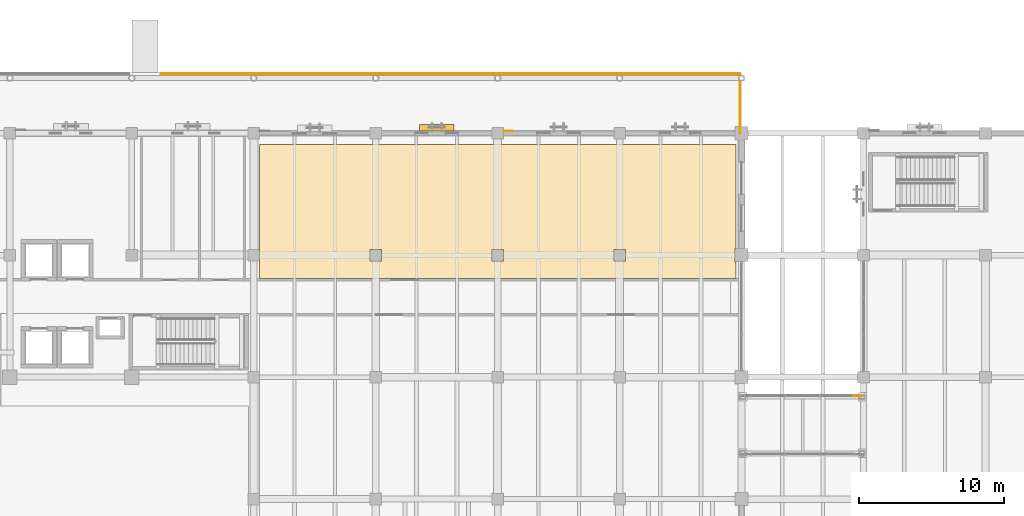
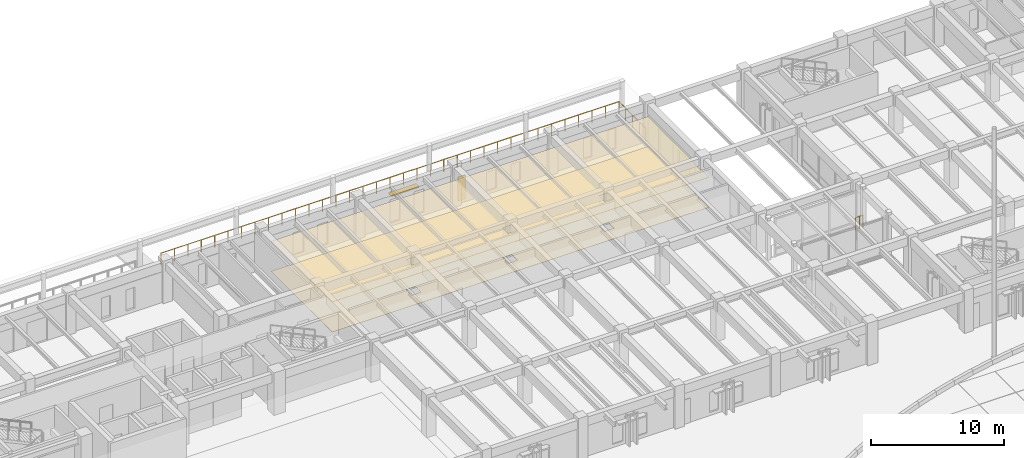
# One storey, part 123 of 135: 3 coverings, 3 railings, 1 shading device.
"""IFC4 building model written with IfcOpenShell, lengths in metres."""

from ifc_helpers import new_model, si_unit, direction, frame, origin, origin_2d, place, context, subcontext, project, spatial, polyline, rectangle, circle, outline, extrude, material, layer, layer_set, type_object, element, save


model = new_model("IFC4")

# Units and contexts
model_context = context("Model", 3, precision=1e-05, world=origin(), true_north=direction((0.0, 1.0)))
body_context = subcontext(model_context, "Body", "Model", "MODEL_VIEW")
ifc_project = project(units=[si_unit("LENGTHUNIT", "METRE"), si_unit("AREAUNIT", "SQUARE_METRE"), si_unit("VOLUMEUNIT", "CUBIC_METRE"), si_unit("PLANEANGLEUNIT", "RADIAN"), si_unit("MASSUNIT", "GRAM", prefix="KILO")], contexts=[model_context])

# Site, building, storey
site_placement = place(None, origin())
site = spatial("IfcSite", under=ifc_project, at=site_placement, CompositionType="ELEMENT")
building_placement = place(site_placement, origin())
building = spatial("IfcBuilding", under=site, at=building_placement, Name="Cumbredor Promenade Congress Hotel", CompositionType="ELEMENT")
storey_placement = place(building_placement, origin())
storey = spatial("IfcBuildingStorey", under=building, at=storey_placement, Name="L00", CompositionType="ELEMENT", Elevation=0.0)

# Covering
ifc_material_1 = material(Name="Acoustic mineral-fiber and gypsum ceiling")
ifc_layer_1 = layer(ifc_material_1, 0.028076171875, Name="Acoustic mineral-fiber and gypsum ceiling")
ifc_layer_set_1 = layer_set([ifc_layer_1], Name="Acoustic mineral-fiber and gypsum ceiling")
covering_type_1 = type_object("IfcCoveringType", Name="Acoustic Perforated Gypsum Ceiling CLG-03 28mm", PredefinedType="CEILING", material=ifc_layer_set_1)
covering_1_placement = place(storey_placement, frame((0.0, 0.0, 2.762939453125)))
element("IfcCovering", 1, at=covering_1_placement, inside=storey, type_object=covering_type_1, Name="Sabana Promenade Espresso Bar and Bakery Acoustic Ceiling", PredefinedType="CEILING", context=body_context, shape_type="SweptSolid", body=[
    extrude(outline(polyline([(50.780029296875, 116.820068359375), (83.6201171875, 116.820068359375), (83.6201171875, 109.655029296875), (83.544921875, 109.655029296875), (83.544921875, 108.7451171875), (83.6201171875, 108.7451171875), (83.6201171875, 107.580078125), (50.780029296875, 107.580078125), (50.780029296875, 108.794921875), (50.804931640625, 108.794921875), (50.804931640625, 109.60498046875), (50.780029296875, 109.60498046875), (50.780029296875, 116.820068359375)]), holes=[polyline([(59.205078125, 108.794921875), (59.205078125, 109.60498046875), (58.39501953125, 109.60498046875), (58.39501953125, 108.794921875), (59.205078125, 108.794921875)]), polyline([(66.794921875, 108.794921875), (67.60498046875, 108.794921875), (67.60498046875, 109.60498046875), (66.794921875, 109.60498046875), (66.794921875, 108.794921875)]), polyline([(75.195068359375, 109.60498046875), (75.195068359375, 108.794921875), (76.0048828125, 108.794921875), (76.0048828125, 109.60498046875), (75.195068359375, 109.60498046875)])]), origin(), (0.0, 0.0, 1.0), 0.028076171875),
])

# Shading device
ifc_material_2 = material(Name="Thermally broken anodized aluminium", Category="aluminium")
shading_device_type = type_object("IfcShadingDeviceType", Name="Horizontal Bronze Jalousie Louvre JAL-01", PredefinedType="JALOUSIE", material=ifc_material_2)
shading_device_placement = place(storey_placement, frame((63.0, 117.965087890625, 2.4599609375), z_axis=(0.0, 0.0, 1.0), x_axis=(1.0, 0.0, 0.0)))
element("IfcShadingDevice", 2, at=shading_device_placement, inside=storey, type_object=shading_device_type, Name="L00 Horizontal Bronze Jalousie 032", PredefinedType="JALOUSIE", context=body_context, shape_type="SweptSolid", body=[
    extrude(rectangle(XDim=2.39990234375, YDim=0.449951171875, at=origin_2d()), origin(), (0.0, 0.0, 1.0), 0.1201171875),
])

# Covering
ifc_material_3 = material(Name="Porcelain stoneware tile", Category="masonry")
ifc_layer_2 = layer(ifc_material_3, 0.02001953125, Name="Porcelain stoneware tile", Category="masonry")
ifc_layer_set_2 = layer_set([ifc_layer_2], Name="Porcelain stoneware tile")
covering_type_2 = type_object("IfcCoveringType", Name="Porcelain Stoneware Flooring FLR-01 20mm", PredefinedType="FLOORING", material=ifc_layer_set_2)
covering_2_placement = place(storey_placement, origin())
element("IfcCovering", 3, at=covering_2_placement, inside=storey, type_object=covering_type_2, Name="Sabana Promenade Espresso Bar and Bakery Porcelain Flooring", PredefinedType="FLOORING", context=body_context, shape_type="SweptSolid", body=[
    extrude(outline(polyline([(50.780029296875, 116.820068359375), (83.6201171875, 116.820068359375), (83.6201171875, 109.655029296875), (83.544921875, 109.655029296875), (83.544921875, 108.7451171875), (83.6201171875, 108.7451171875), (83.6201171875, 107.580078125), (50.780029296875, 107.580078125), (50.780029296875, 108.794921875), (50.804931640625, 108.794921875), (50.804931640625, 109.60498046875), (50.780029296875, 109.60498046875), (50.780029296875, 116.820068359375)]), holes=[polyline([(59.205078125, 108.794921875), (59.205078125, 109.60498046875), (58.39501953125, 109.60498046875), (58.39501953125, 108.794921875), (59.205078125, 108.794921875)]), polyline([(66.794921875, 108.794921875), (67.60498046875, 108.794921875), (67.60498046875, 109.60498046875), (66.794921875, 109.60498046875), (66.794921875, 108.794921875)]), polyline([(75.195068359375, 109.60498046875), (75.195068359375, 108.794921875), (76.0048828125, 108.794921875), (76.0048828125, 109.60498046875), (75.195068359375, 109.60498046875)])]), origin(), (0.0, 0.0, 1.0), 0.02001953125),
])

# Railings
ifc_material_4 = material(Name="Brushed stainless steel", Category="steel")
railing_type_1 = type_object("IfcRailingType", Name="Sky Garden Glass-and-Steel Balustrade BAL-1150", PredefinedType="BALUSTRADE", material=ifc_material_4)
railing_1_placement = place(storey_placement, frame((91.699951171875, 99.52001953125, 0.0)))
element("IfcRailing", 4, at=railing_1_placement, inside=storey, type_object=railing_type_1, Name="L00 North Hotel-to-Forum Glazed Bridge End Guardrail EN", PredefinedType="BALUSTRADE", context=body_context, shape_type="SweptSolid", body=[
    extrude(circle(Radius=0.02392578125, at=origin_2d()), frame((0.0, 0.0, 1.1259765625), z_axis=(1.0, 0.0, 0.0), x_axis=(0.0, 1.0, 0.0)), (0.0, 0.0, 1.0), 0.670166015625),
    extrude(circle(Radius=0.02099609375, at=origin_2d()), origin(), (0.0, 0.0, 1.0), 1.101806640625),
    extrude(circle(Radius=0.02099609375, at=origin_2d()), frame((0.3349609375, 0.0, 0.0)), (0.0, 0.0, 1.0), 1.101806640625),
    extrude(circle(Radius=0.02099609375, at=origin_2d()), frame((0.670166015625, 0.0, 0.0)), (0.0, 0.0, 1.0), 1.101806640625),
])
railing_type_2 = type_object("IfcRailingType", Name="Terrace Perimeter Balustrade BAL-1120", PredefinedType="BALUSTRADE", material=ifc_material_4)
railing_2_placement = place(storey_placement, frame((44.0, 121.699951171875, 0.0)))
element("IfcRailing", 5, at=railing_2_placement, inside=storey, type_object=railing_type_2, Name="L00 Promenade Terrace Balustrade 12", PredefinedType="BALUSTRADE", context=body_context, shape_type="SweptSolid", body=[
    extrude(circle(Radius=0.02392578125, at=origin_2d()), frame((0.0, 0.0, 1.09619140625), z_axis=(1.0, 0.0, 0.0), x_axis=(0.0, 1.0, 0.0)), (0.0, 0.0, 1.0), 39.89990234375),
    extrude(circle(Radius=0.02099609375, at=origin_2d()), origin(), (0.0, 0.0, 1.0), 1.072021484375),
    extrude(circle(Radius=0.02099609375, at=origin_2d()), frame((1.173583984375, 0.0, 0.0)), (0.0, 0.0, 1.0), 1.072021484375),
    extrude(circle(Radius=0.02099609375, at=origin_2d()), frame((2.34716796875, 0.0, 0.0)), (0.0, 0.0, 1.0), 1.072021484375),
    extrude(circle(Radius=0.02099609375, at=origin_2d()), frame((3.5205078125, 0.0, 0.0)), (0.0, 0.0, 1.0), 1.072021484375),
    extrude(circle(Radius=0.02099609375, at=origin_2d()), frame((4.694091796875, 0.0, 0.0)), (0.0, 0.0, 1.0), 1.072021484375),
    extrude(circle(Radius=0.02099609375, at=origin_2d()), frame((5.86767578125, 0.0, 0.0)), (0.0, 0.0, 1.0), 1.072021484375),
    extrude(circle(Radius=0.02099609375, at=origin_2d()), frame((7.041259765625, 0.0, 0.0)), (0.0, 0.0, 1.0), 1.072021484375),
    extrude(circle(Radius=0.02099609375, at=origin_2d()), frame((8.214599609375, 0.0, 0.0)), (0.0, 0.0, 1.0), 1.072021484375),
    extrude(circle(Radius=0.02099609375, at=origin_2d()), frame((9.38818359375, 0.0, 0.0)), (0.0, 0.0, 1.0), 1.072021484375),
    extrude(circle(Radius=0.02099609375, at=origin_2d()), frame((10.561767578125, 0.0, 0.0)), (0.0, 0.0, 1.0), 1.072021484375),
    extrude(circle(Radius=0.02099609375, at=origin_2d()), frame((11.7353515625, 0.0, 0.0)), (0.0, 0.0, 1.0), 1.072021484375),
    extrude(circle(Radius=0.02099609375, at=origin_2d()), frame((12.90869140625, 0.0, 0.0)), (0.0, 0.0, 1.0), 1.072021484375),
    extrude(circle(Radius=0.02099609375, at=origin_2d()), frame((14.082275390625, 0.0, 0.0)), (0.0, 0.0, 1.0), 1.072021484375),
    extrude(circle(Radius=0.02099609375, at=origin_2d()), frame((15.255859375, 0.0, 0.0)), (0.0, 0.0, 1.0), 1.072021484375),
    extrude(circle(Radius=0.02099609375, at=origin_2d()), frame((16.429443359375, 0.0, 0.0)), (0.0, 0.0, 1.0), 1.072021484375),
    extrude(circle(Radius=0.02099609375, at=origin_2d()), frame((17.602783203125, 0.0, 0.0)), (0.0, 0.0, 1.0), 1.072021484375),
    extrude(circle(Radius=0.02099609375, at=origin_2d()), frame((18.7763671875, 0.0, 0.0)), (0.0, 0.0, 1.0), 1.072021484375),
    extrude(circle(Radius=0.02099609375, at=origin_2d()), frame((19.949951171875, 0.0, 0.0)), (0.0, 0.0, 1.0), 1.072021484375),
    extrude(circle(Radius=0.02099609375, at=origin_2d()), frame((21.12353515625, 0.0, 0.0)), (0.0, 0.0, 1.0), 1.072021484375),
    extrude(circle(Radius=0.02099609375, at=origin_2d()), frame((22.297119140625, 0.0, 0.0)), (0.0, 0.0, 1.0), 1.072021484375),
    extrude(circle(Radius=0.02099609375, at=origin_2d()), frame((23.470458984375, 0.0, 0.0)), (0.0, 0.0, 1.0), 1.072021484375),
    extrude(circle(Radius=0.02099609375, at=origin_2d()), frame((24.64404296875, 0.0, 0.0)), (0.0, 0.0, 1.0), 1.072021484375),
    extrude(circle(Radius=0.02099609375, at=origin_2d()), frame((25.817626953125, 0.0, 0.0)), (0.0, 0.0, 1.0), 1.072021484375),
    extrude(circle(Radius=0.02099609375, at=origin_2d()), frame((26.9912109375, 0.0, 0.0)), (0.0, 0.0, 1.0), 1.072021484375),
    extrude(circle(Radius=0.02099609375, at=origin_2d()), frame((28.16455078125, 0.0, 0.0)), (0.0, 0.0, 1.0), 1.072021484375),
    extrude(circle(Radius=0.02099609375, at=origin_2d()), frame((29.338134765625, 0.0, 0.0)), (0.0, 0.0, 1.0), 1.072021484375),
    extrude(circle(Radius=0.02099609375, at=origin_2d()), frame((30.51171875, 0.0, 0.0)), (0.0, 0.0, 1.0), 1.072021484375),
    extrude(circle(Radius=0.02099609375, at=origin_2d()), frame((31.685302734375, 0.0, 0.0)), (0.0, 0.0, 1.0), 1.072021484375),
    extrude(circle(Radius=0.02099609375, at=origin_2d()), frame((32.858642578125, 0.0, 0.0)), (0.0, 0.0, 1.0), 1.072021484375),
    extrude(circle(Radius=0.02099609375, at=origin_2d()), frame((34.0322265625, 0.0, 0.0)), (0.0, 0.0, 1.0), 1.072021484375),
    extrude(circle(Radius=0.02099609375, at=origin_2d()), frame((35.205810546875, 0.0, 0.0)), (0.0, 0.0, 1.0), 1.072021484375),
    extrude(circle(Radius=0.02099609375, at=origin_2d()), frame((36.37939453125, 0.0, 0.0)), (0.0, 0.0, 1.0), 1.072021484375),
    extrude(circle(Radius=0.02099609375, at=origin_2d()), frame((37.552734375, 0.0, 0.0)), (0.0, 0.0, 1.0), 1.072021484375),
    extrude(circle(Radius=0.02099609375, at=origin_2d()), frame((38.726318359375, 0.0, 0.0)), (0.0, 0.0, 1.0), 1.072021484375),
    extrude(circle(Radius=0.02099609375, at=origin_2d()), frame((39.89990234375, 0.0, 0.0)), (0.0, 0.0, 1.0), 1.072021484375),
])
railing_3_placement = place(storey_placement, frame((83.89990234375, 117.60009765625, 0.0)))
element("IfcRailing", 6, at=railing_3_placement, inside=storey, type_object=railing_type_2, Name="L00 Promenade Terrace Balustrade 14", PredefinedType="BALUSTRADE", context=body_context, shape_type="SweptSolid", body=[
    extrude(circle(Radius=0.02392578125, at=origin_2d()), frame((0.0, 0.0, 1.09619140625), z_axis=(0.0, 1.0, 0.0), x_axis=(-1.0, 0.0, 0.0)), (0.0, 0.0, 1.0), 4.099853515625),
    extrude(circle(Radius=0.02099609375, at=origin_2d()), origin(), (0.0, 0.0, 1.0), 1.072021484375),
    extrude(circle(Radius=0.02099609375, at=origin_2d()), frame((0.0, 1.02490234375, 0.0)), (0.0, 0.0, 1.0), 1.072021484375),
    extrude(circle(Radius=0.02099609375, at=origin_2d()), frame((0.0, 2.0498046875, 0.0)), (0.0, 0.0, 1.0), 1.072021484375),
    extrude(circle(Radius=0.02099609375, at=origin_2d()), frame((0.0, 3.074951171875, 0.0)), (0.0, 0.0, 1.0), 1.072021484375),
    extrude(circle(Radius=0.02099609375, at=origin_2d()), frame((0.0, 4.099853515625, 0.0)), (0.0, 0.0, 1.0), 1.072021484375),
])

# Covering
ifc_material_5 = material(Name="Volcanic andesite ashlar cladding", Category="masonry")
ifc_layer_3 = layer(ifc_material_5, 0.034912109375, Name="Volcanic andesite ashlar cladding", Category="masonry")
ifc_layer_set_3 = layer_set([ifc_layer_3], Name="Volcanic andesite ashlar cladding")
covering_type_3 = type_object("IfcCoveringType", Name="Volcanic Andesite Ashlar Rainscreen Cladding 35mm", PredefinedType="CLADDING", material=ifc_layer_set_3)
covering_3_placement = place(storey_placement, origin())
element("IfcCovering", 7, at=covering_3_placement, inside=storey, type_object=covering_type_3, Name="L00 Facade Stone Cladding Pier 041", PredefinedType="CLADDING", context=body_context, shape_type="SweptSolid", body=[
    extrude(outline(polyline([(67.60107421875, 117.75), (68.2509765625, 117.75), (68.2509765625, 117.784912109375), (67.60107421875, 117.784912109375), (67.60107421875, 117.75)])), origin(), (0.0, 0.0, 1.0), 2.25),
])

save(model, "model.ifc")
